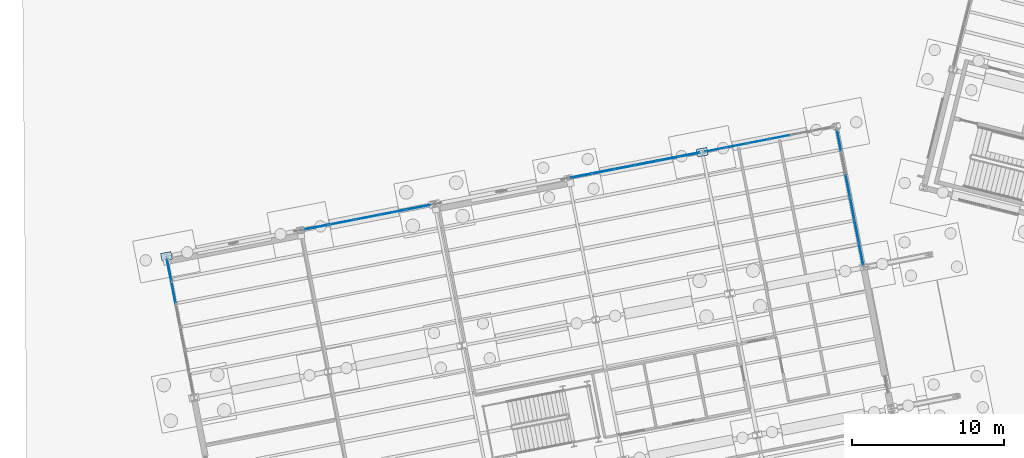
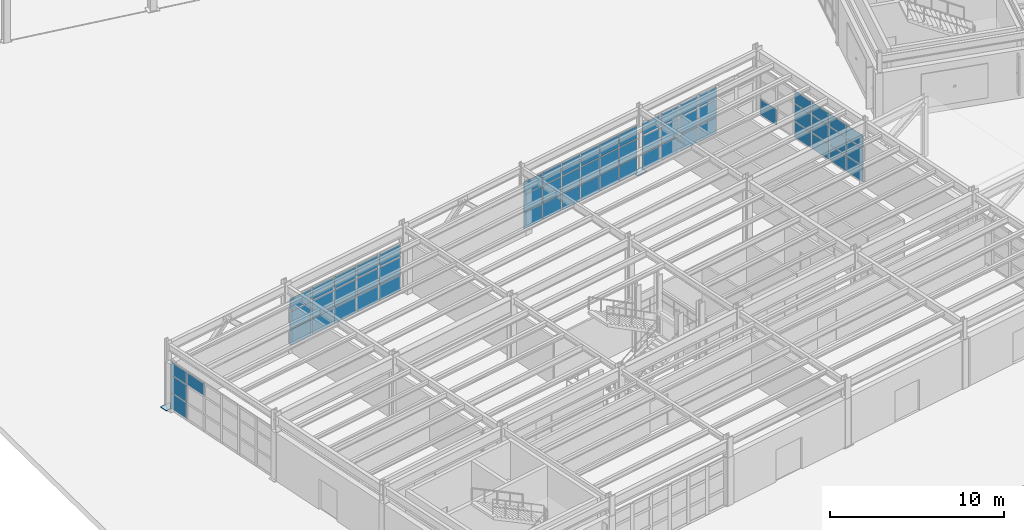
# One storey, part 61 of 108: 64 plates, 5 elements without a shape of their own.
"""IFC4 building model written with IfcOpenShell, lengths in metres."""

from ifc_helpers import new_model, si_unit, direction, frame, origin, origin_2d, place, context, subcontext, project, spatial, rectangle, extrude, material, layer, layer_set, type_object, element, aggregate, save


model = new_model("IFC4")

# Units and contexts
model_context = context("Model", 3, precision=1e-05, world=origin(), true_north=direction((0.0, 1.0)))
body_context = subcontext(model_context, "Body", "Model", "MODEL_VIEW")
ifc_project = project(units=[si_unit("LENGTHUNIT", "METRE"), si_unit("AREAUNIT", "SQUARE_METRE"), si_unit("VOLUMEUNIT", "CUBIC_METRE"), si_unit("PLANEANGLEUNIT", "RADIAN"), si_unit("MASSUNIT", "GRAM", prefix="KILO")], contexts=[model_context])

# Site, building, storey
site_placement = place(None, origin())
site = spatial("IfcSite", under=ifc_project, at=site_placement, CompositionType="ELEMENT")
building_placement = place(site_placement, origin())
building = spatial("IfcBuilding", under=site, at=building_placement, Name="Vireo Bluff Cable Station", CompositionType="ELEMENT")
storey_placement = place(building_placement, origin())
storey = spatial("IfcBuildingStorey", under=building, at=storey_placement, Name="L00", CompositionType="ELEMENT", Elevation=0.0)

# Plates
ifc_material_1 = material(Name="Steel ASTM A572 Gr. 50", Category="steel")
ifc_layer_1 = layer(ifc_material_1, 0.0439453125, Name="Steel ASTM A572 Gr. 50")
ifc_layer_set_1 = layer_set([ifc_layer_1], Name="Steel ASTM A572 Gr. 50")
plate_type_1 = type_object("IfcPlateType", Name="BASEPLATE-700X510X44", PredefinedType="SHEET", material=ifc_layer_set_1)
for number, where, z_axis, x_axis, name in (
    (1, (4.06201171875, 33.476318359375, 0.0), (0.0, 0.0, 1.0), (0.981627183448, 0.190808995377, 0.0), "V5 column baseplate 221"),
    (2, (39.400634765625, 40.345458984375, 0.0), (0.0, 0.0, 1.0), (0.981627183448, 0.190808995377, 0.0), "V5 column baseplate 237"),
):
    element("IfcPlate", number, at=place(storey_placement, frame(where, z_axis=z_axis, x_axis=x_axis)), inside=storey, type_object=plate_type_1, Name=name, PredefinedType="SHEET", context=body_context, shape_type="SweptSolid", body=[
        extrude(rectangle(XDim=0.699951171875, YDim=0.510009765625, at=origin_2d()), origin(), (0.0, 0.0, 1.0), 0.0439453125),
    ])

# Curtain wall, plates
ifc_material_2 = material(Name="Anodized Aluminium 6063-T6", Category="aluminium")
ifc_layer_2 = layer(ifc_material_2, 0.179931640625, Name="Anodized Aluminium 6063-T6")
ifc_layer_set_2 = layer_set([ifc_layer_2], Name="Anodized Aluminium 6063-T6")
curtain_wall_type_1 = type_object("IfcCurtainWallType", Name="CW-UNIT-1500", PredefinedType="USERDEFINED", material=ifc_layer_set_2)
curtain_wall_1_placement = place(storey_placement, origin())
curtain_wall_1 = element("IfcCurtainWall", 3, at=curtain_wall_1_placement, inside=storey, type_object=curtain_wall_type_1, Name="V5 L00 north curtain wall CW-115", ObjectType="UNITISED CURTAIN WALL", PredefinedType="USERDEFINED")
ifc_material_3 = material(Name="Laminated Low-E Insulated Glass", Category="glass")
ifc_layer_3 = layer(ifc_material_3, 0.028076171875, Name="Laminated Low-E Insulated Glass")
ifc_layer_set_3 = layer_set([ifc_layer_3], Name="Laminated Low-E Insulated Glass")
plate_type_2 = type_object("IfcPlateType", Name="CWP-28-1", PredefinedType="CURTAIN_PANEL", material=ifc_layer_set_3)
plate_1_placement = place(storey_placement, frame((40.25732421875, 40.511962890625, 0.080078125), z_axis=(0.0, 0.0, 1.0), x_axis=(0.981627170646, 0.190809061234, 0.0)))
plate_1 = element("IfcPlate", 4, at=plate_1_placement, type_object=plate_type_2, Name="CW-115 panel 1.1", PredefinedType="CURTAIN_PANEL", context=body_context, shape_type="SweptSolid", body=[
    extrude(rectangle(XDim=1.324462890625, YDim=0.028076171875, at=origin_2d()), origin(), (0.0, 0.0, 1.0), 1.070068359375),
])
plate_2_placement = place(storey_placement, frame((40.25732421875, 40.511962890625, 1.22998046875), z_axis=(0.0, 0.0, 1.0), x_axis=(0.981627170646, 0.190809061234, 0.0)))
plate_2 = element("IfcPlate", 5, at=plate_2_placement, type_object=plate_type_2, Name="CW-115 panel 1.2", PredefinedType="CURTAIN_PANEL", context=body_context, shape_type="SweptSolid", body=[
    extrude(rectangle(XDim=1.324462890625, YDim=0.028076171875, at=origin_2d()), origin(), (0.0, 0.0, 1.0), 1.177978515625),
])
plate_3_placement = place(storey_placement, frame((40.25732421875, 40.511962890625, 2.488037109375), z_axis=(0.0, 0.0, 1.0), x_axis=(0.981627170646, 0.190809061234, 0.0)))
plate_3 = element("IfcPlate", 6, at=plate_3_placement, type_object=plate_type_2, Name="CW-115 panel 1.3", PredefinedType="CURTAIN_PANEL", context=body_context, shape_type="SweptSolid", body=[
    extrude(rectangle(XDim=1.324462890625, YDim=0.028076171875, at=origin_2d()), origin(), (0.0, 0.0, 1.0), 0.83203125),
])
plate_4_placement = place(storey_placement, frame((41.655517578125, 40.783935546875, 0.080078125), z_axis=(0.0, 0.0, 1.0), x_axis=(0.981627170646, 0.190809061234, 0.0)))
plate_4 = element("IfcPlate", 7, at=plate_4_placement, type_object=plate_type_2, Name="CW-115 panel 2.1", PredefinedType="CURTAIN_PANEL", context=body_context, shape_type="SweptSolid", body=[
    extrude(rectangle(XDim=1.364501953125, YDim=0.028076171875, at=origin_2d()), origin(), (0.0, 0.0, 1.0), 1.070068359375),
])
plate_5_placement = place(storey_placement, frame((41.655517578125, 40.783935546875, 1.22998046875), z_axis=(0.0, 0.0, 1.0), x_axis=(0.981627170646, 0.190809061234, 0.0)))
plate_5 = element("IfcPlate", 8, at=plate_5_placement, type_object=plate_type_2, Name="CW-115 panel 2.2", PredefinedType="CURTAIN_PANEL", context=body_context, shape_type="SweptSolid", body=[
    extrude(rectangle(XDim=1.364501953125, YDim=0.028076171875, at=origin_2d()), origin(), (0.0, 0.0, 1.0), 1.177978515625),
])
plate_6_placement = place(storey_placement, frame((41.655517578125, 40.783935546875, 2.488037109375), z_axis=(0.0, 0.0, 1.0), x_axis=(0.981627170646, 0.190809061234, 0.0)))
plate_6 = element("IfcPlate", 9, at=plate_6_placement, type_object=plate_type_2, Name="CW-115 panel 2.3", PredefinedType="CURTAIN_PANEL", context=body_context, shape_type="SweptSolid", body=[
    extrude(rectangle(XDim=1.364501953125, YDim=0.028076171875, at=origin_2d()), origin(), (0.0, 0.0, 1.0), 0.83203125),
])
plate_7_placement = place(storey_placement, frame((43.073486328125, 41.0595703125, 0.080078125), z_axis=(0.0, 0.0, 1.0), x_axis=(0.981627170646, 0.190809061234, 0.0)))
plate_7 = element("IfcPlate", 10, at=plate_7_placement, type_object=plate_type_2, Name="CW-115 panel 3.1", PredefinedType="CURTAIN_PANEL", context=body_context, shape_type="SweptSolid", body=[
    extrude(rectangle(XDim=1.364501953125, YDim=0.028076171875, at=origin_2d()), origin(), (0.0, 0.0, 1.0), 1.070068359375),
])
plate_8_placement = place(storey_placement, frame((43.073486328125, 41.0595703125, 1.22998046875), z_axis=(0.0, 0.0, 1.0), x_axis=(0.981627170646, 0.190809061234, 0.0)))
plate_8 = element("IfcPlate", 11, at=plate_8_placement, type_object=plate_type_2, Name="CW-115 panel 3.2", PredefinedType="CURTAIN_PANEL", context=body_context, shape_type="SweptSolid", body=[
    extrude(rectangle(XDim=1.364501953125, YDim=0.028076171875, at=origin_2d()), origin(), (0.0, 0.0, 1.0), 1.177978515625),
])
plate_9_placement = place(storey_placement, frame((43.073486328125, 41.0595703125, 2.488037109375), z_axis=(0.0, 0.0, 1.0), x_axis=(0.981627170646, 0.190809061234, 0.0)))
plate_9 = element("IfcPlate", 12, at=plate_9_placement, type_object=plate_type_2, Name="CW-115 panel 3.3", PredefinedType="CURTAIN_PANEL", context=body_context, shape_type="SweptSolid", body=[
    extrude(rectangle(XDim=1.364501953125, YDim=0.028076171875, at=origin_2d()), origin(), (0.0, 0.0, 1.0), 0.83203125),
])
plate_10_placement = place(storey_placement, frame((44.491455078125, 41.3349609375, 0.080078125), z_axis=(0.0, 0.0, 1.0), x_axis=(0.981627170646, 0.190809061234, 0.0)))
plate_10 = element("IfcPlate", 13, at=plate_10_placement, type_object=plate_type_2, Name="CW-115 panel 4.1", PredefinedType="CURTAIN_PANEL", context=body_context, shape_type="SweptSolid", body=[
    extrude(rectangle(XDim=1.364501953125, YDim=0.028076171875, at=origin_2d()), origin(), (0.0, 0.0, 1.0), 1.070068359375),
])
plate_11_placement = place(storey_placement, frame((44.491455078125, 41.3349609375, 1.22998046875), z_axis=(0.0, 0.0, 1.0), x_axis=(0.981627170646, 0.190809061234, 0.0)))
plate_11 = element("IfcPlate", 14, at=plate_11_placement, type_object=plate_type_2, Name="CW-115 panel 4.2", PredefinedType="CURTAIN_PANEL", context=body_context, shape_type="SweptSolid", body=[
    extrude(rectangle(XDim=1.364501953125, YDim=0.028076171875, at=origin_2d()), origin(), (0.0, 0.0, 1.0), 1.177978515625),
])
plate_12_placement = place(storey_placement, frame((44.491455078125, 41.3349609375, 2.488037109375), z_axis=(0.0, 0.0, 1.0), x_axis=(0.981627170646, 0.190809061234, 0.0)))
plate_12 = element("IfcPlate", 15, at=plate_12_placement, type_object=plate_type_2, Name="CW-115 panel 4.3", PredefinedType="CURTAIN_PANEL", context=body_context, shape_type="SweptSolid", body=[
    extrude(rectangle(XDim=1.364501953125, YDim=0.028076171875, at=origin_2d()), origin(), (0.0, 0.0, 1.0), 0.83203125),
])
aggregate(curtain_wall_1, [plate_1, plate_2, plate_3, plate_4, plate_5, plate_6, plate_7, plate_8, plate_9, plate_10, plate_11, plate_12])

ifc_layer_4 = layer(ifc_material_2, 0.179931640625, Name="Anodized Aluminium 6063-T6")
ifc_layer_set_4 = layer_set([ifc_layer_4], Name="Anodized Aluminium 6063-T6")
curtain_wall_type_2 = type_object("IfcCurtainWallType", Name="CW-UNIT-1650", PredefinedType="USERDEFINED", material=ifc_layer_set_4)
curtain_wall_2_placement = place(storey_placement, origin())
curtain_wall_2 = element("IfcCurtainWall", 16, at=curtain_wall_2_placement, inside=storey, type_object=curtain_wall_type_2, Name="V5 L00 east curtain wall CW-116", ObjectType="UNITISED CURTAIN WALL", PredefinedType="USERDEFINED")
ifc_layer_5 = layer(ifc_material_3, 0.031982421875, Name="Laminated Low-E Insulated Glass")
ifc_layer_set_5 = layer_set([ifc_layer_5], Name="Laminated Low-E Insulated Glass")
plate_type_3 = type_object("IfcPlateType", Name="CWP-32-2", PredefinedType="CURTAIN_PANEL", material=ifc_layer_set_5)
plate_13_placement = place(storey_placement, frame((48.422607421875, 41.09912109375, 0.06494140625), z_axis=(0.0, 0.0, 1.0), x_axis=(0.190809009442, -0.981627180714, 0.0)))
plate_13 = element("IfcPlate", 17, at=plate_13_placement, type_object=plate_type_3, Name="CW-116 panel 1.1", PredefinedType="CURTAIN_PANEL", context=body_context, shape_type="SweptSolid", body=[
    extrude(rectangle(XDim=1.430419921875, YDim=0.031982421875, at=origin_2d()), origin(), (0.0, 0.0, 1.0), 1.092529296875),
])
plate_14_placement = place(storey_placement, frame((49.00244140625, 38.115234375, 0.06494140625), z_axis=(0.0, 0.0, 1.0), x_axis=(0.190809009442, -0.981627180714, 0.0)))
plate_14 = element("IfcPlate", 18, at=plate_14_placement, type_object=plate_type_3, Name="CW-116 panel 3.1", PredefinedType="CURTAIN_PANEL", context=body_context, shape_type="SweptSolid", body=[
    extrude(rectangle(XDim=1.462890625, YDim=0.031982421875, at=origin_2d()), origin(), (0.0, 0.0, 1.0), 1.092529296875),
])
plate_15_placement = place(storey_placement, frame((49.00244140625, 38.115234375, 1.22265625), z_axis=(0.0, 0.0, 1.0), x_axis=(0.190809009442, -0.981627180714, 0.0)))
plate_15 = element("IfcPlate", 19, at=plate_15_placement, type_object=plate_type_3, Name="CW-116 panel 3.2", PredefinedType="CURTAIN_PANEL", context=body_context, shape_type="SweptSolid", body=[
    extrude(rectangle(XDim=1.462890625, YDim=0.031982421875, at=origin_2d()), origin(), (0.0, 0.0, 1.0), 1.193115234375),
])
plate_16_placement = place(storey_placement, frame((49.00244140625, 38.115234375, 2.48046875), z_axis=(0.0, 0.0, 1.0), x_axis=(0.190809009442, -0.981627180714, 0.0)))
plate_16 = element("IfcPlate", 20, at=plate_16_placement, type_object=plate_type_3, Name="CW-116 panel 3.3", PredefinedType="CURTAIN_PANEL", context=body_context, shape_type="SweptSolid", body=[
    extrude(rectangle(XDim=1.462890625, YDim=0.031982421875, at=origin_2d()), origin(), (0.0, 0.0, 1.0), 0.8544921875),
])
plate_17_placement = place(storey_placement, frame((49.2939453125, 36.615234375, 0.06494140625), z_axis=(0.0, 0.0, 1.0), x_axis=(0.190809009442, -0.981627180714, 0.0)))
plate_17 = element("IfcPlate", 21, at=plate_17_placement, type_object=plate_type_3, Name="CW-116 panel 4.1", PredefinedType="CURTAIN_PANEL", context=body_context, shape_type="SweptSolid", body=[
    extrude(rectangle(XDim=1.462890625, YDim=0.031982421875, at=origin_2d()), origin(), (0.0, 0.0, 1.0), 1.092529296875),
])
plate_18_placement = place(storey_placement, frame((49.2939453125, 36.615234375, 1.22265625), z_axis=(0.0, 0.0, 1.0), x_axis=(0.190809009442, -0.981627180714, 0.0)))
plate_18 = element("IfcPlate", 22, at=plate_18_placement, type_object=plate_type_3, Name="CW-116 panel 4.2", PredefinedType="CURTAIN_PANEL", context=body_context, shape_type="SweptSolid", body=[
    extrude(rectangle(XDim=1.462890625, YDim=0.031982421875, at=origin_2d()), origin(), (0.0, 0.0, 1.0), 1.193115234375),
])
plate_19_placement = place(storey_placement, frame((49.2939453125, 36.615234375, 2.48046875), z_axis=(0.0, 0.0, 1.0), x_axis=(0.190809009442, -0.981627180714, 0.0)))
plate_19 = element("IfcPlate", 23, at=plate_19_placement, type_object=plate_type_3, Name="CW-116 panel 4.3", PredefinedType="CURTAIN_PANEL", context=body_context, shape_type="SweptSolid", body=[
    extrude(rectangle(XDim=1.462890625, YDim=0.031982421875, at=origin_2d()), origin(), (0.0, 0.0, 1.0), 0.8544921875),
])
plate_20_placement = place(storey_placement, frame((49.585693359375, 35.115234375, 0.06494140625), z_axis=(0.0, 0.0, 1.0), x_axis=(0.190809009442, -0.981627180714, 0.0)))
plate_20 = element("IfcPlate", 24, at=plate_20_placement, type_object=plate_type_3, Name="CW-116 panel 5.1", PredefinedType="CURTAIN_PANEL", context=body_context, shape_type="SweptSolid", body=[
    extrude(rectangle(XDim=1.462890625, YDim=0.031982421875, at=origin_2d()), origin(), (0.0, 0.0, 1.0), 1.092529296875),
])
plate_21_placement = place(storey_placement, frame((49.585693359375, 35.115234375, 1.22265625), z_axis=(0.0, 0.0, 1.0), x_axis=(0.190809009442, -0.981627180714, 0.0)))
plate_21 = element("IfcPlate", 25, at=plate_21_placement, type_object=plate_type_3, Name="CW-116 panel 5.2", PredefinedType="CURTAIN_PANEL", context=body_context, shape_type="SweptSolid", body=[
    extrude(rectangle(XDim=1.462890625, YDim=0.031982421875, at=origin_2d()), origin(), (0.0, 0.0, 1.0), 1.193115234375),
])
plate_22_placement = place(storey_placement, frame((49.585693359375, 35.115234375, 2.48046875), z_axis=(0.0, 0.0, 1.0), x_axis=(0.190809009442, -0.981627180714, 0.0)))
plate_22 = element("IfcPlate", 26, at=plate_22_placement, type_object=plate_type_3, Name="CW-116 panel 5.3", PredefinedType="CURTAIN_PANEL", context=body_context, shape_type="SweptSolid", body=[
    extrude(rectangle(XDim=1.462890625, YDim=0.031982421875, at=origin_2d()), origin(), (0.0, 0.0, 1.0), 0.8544921875),
])
plate_23_placement = place(storey_placement, frame((49.8740234375, 33.63134765625, 0.06494140625), z_axis=(0.0, 0.0, 1.0), x_axis=(0.190809009442, -0.981627180714, 0.0)))
plate_23 = element("IfcPlate", 27, at=plate_23_placement, type_object=plate_type_3, Name="CW-116 panel 6.1", PredefinedType="CURTAIN_PANEL", context=body_context, shape_type="SweptSolid", body=[
    extrude(rectangle(XDim=1.430419921875, YDim=0.031982421875, at=origin_2d()), origin(), (0.0, 0.0, 1.0), 1.092529296875),
])
plate_24_placement = place(storey_placement, frame((49.8740234375, 33.63134765625, 1.22265625), z_axis=(0.0, 0.0, 1.0), x_axis=(0.190809009442, -0.981627180714, 0.0)))
plate_24 = element("IfcPlate", 28, at=plate_24_placement, type_object=plate_type_3, Name="CW-116 panel 6.2", PredefinedType="CURTAIN_PANEL", context=body_context, shape_type="SweptSolid", body=[
    extrude(rectangle(XDim=1.430419921875, YDim=0.031982421875, at=origin_2d()), origin(), (0.0, 0.0, 1.0), 1.193115234375),
])
plate_25_placement = place(storey_placement, frame((49.8740234375, 33.63134765625, 2.48046875), z_axis=(0.0, 0.0, 1.0), x_axis=(0.190809009442, -0.981627180714, 0.0)))
plate_25 = element("IfcPlate", 29, at=plate_25_placement, type_object=plate_type_3, Name="CW-116 panel 6.3", PredefinedType="CURTAIN_PANEL", context=body_context, shape_type="SweptSolid", body=[
    extrude(rectangle(XDim=1.430419921875, YDim=0.031982421875, at=origin_2d()), origin(), (0.0, 0.0, 1.0), 0.8544921875),
])
aggregate(curtain_wall_2, [plate_13, plate_14, plate_15, plate_16, plate_17, plate_18, plate_19, plate_20, plate_21, plate_22, plate_23, plate_24, plate_25])

curtain_wall_3_placement = place(storey_placement, origin())
curtain_wall_3 = element("IfcCurtainWall", 30, at=curtain_wall_3_placement, inside=storey, type_object=curtain_wall_type_1, Name="V5 L00 west curtain wall CW-112", ObjectType="UNITISED CURTAIN WALL", PredefinedType="USERDEFINED")
ifc_layer_6 = layer(ifc_material_3, 0.035888671875, Name="Laminated Low-E Insulated Glass")
ifc_layer_set_6 = layer_set([ifc_layer_6], Name="Laminated Low-E Insulated Glass")
plate_type_4 = type_object("IfcPlateType", Name="CWP-36-3", PredefinedType="CURTAIN_PANEL", material=ifc_layer_set_6)
plate_26_placement = place(storey_placement, frame((4.52734375, 31.08251953125, 2.48046875), z_axis=(0.0, 0.0, 1.0), x_axis=(-0.190809009717, 0.98162718066, 0.0)))
plate_26 = element("IfcPlate", 31, at=plate_26_placement, type_object=plate_type_4, Name="CW-112 panel 5.3", PredefinedType="CURTAIN_PANEL", context=body_context, shape_type="SweptSolid", body=[
    extrude(rectangle(XDim=1.45751953125, YDim=0.035888671875, at=origin_2d()), origin(), (0.0, 0.0, 1.0), 0.8544921875),
])
plate_27_placement = place(storey_placement, frame((4.23974609375, 32.56103515625, 0.06494140625), z_axis=(0.0, 0.0, 1.0), x_axis=(-0.190809009717, 0.98162718066, 0.0)))
plate_27 = element("IfcPlate", 32, at=plate_27_placement, type_object=plate_type_4, Name="CW-112 panel 6.1", PredefinedType="CURTAIN_PANEL", context=body_context, shape_type="SweptSolid", body=[
    extrude(rectangle(XDim=1.4248046875, YDim=0.035888671875, at=origin_2d()), origin(), (0.0, 0.0, 1.0), 1.092529296875),
])
plate_28_placement = place(storey_placement, frame((4.23974609375, 32.56103515625, 1.22265625), z_axis=(0.0, 0.0, 1.0), x_axis=(-0.190809009717, 0.98162718066, 0.0)))
plate_28 = element("IfcPlate", 33, at=plate_28_placement, type_object=plate_type_4, Name="CW-112 panel 6.2", PredefinedType="CURTAIN_PANEL", context=body_context, shape_type="SweptSolid", body=[
    extrude(rectangle(XDim=1.4248046875, YDim=0.035888671875, at=origin_2d()), origin(), (0.0, 0.0, 1.0), 1.193115234375),
])
plate_29_placement = place(storey_placement, frame((4.23974609375, 32.56103515625, 2.48046875), z_axis=(0.0, 0.0, 1.0), x_axis=(-0.190809009717, 0.98162718066, 0.0)))
plate_29 = element("IfcPlate", 34, at=plate_29_placement, type_object=plate_type_4, Name="CW-112 panel 6.3", PredefinedType="CURTAIN_PANEL", context=body_context, shape_type="SweptSolid", body=[
    extrude(rectangle(XDim=1.4248046875, YDim=0.035888671875, at=origin_2d()), origin(), (0.0, 0.0, 1.0), 0.8544921875),
])
aggregate(curtain_wall_3, [plate_26, plate_27, plate_28, plate_29])

curtain_wall_4_placement = place(storey_placement, origin())
curtain_wall_4 = element("IfcCurtainWall", 35, at=curtain_wall_4_placement, inside=storey, type_object=curtain_wall_type_2, Name="V5 L00 north curtain wall CW-113", ObjectType="UNITISED CURTAIN WALL", PredefinedType="USERDEFINED")
ifc_material_4 = material(Name="Insulated Spandrel Glass Panel", Category="glass")
ifc_layer_7 = layer(ifc_material_4, 0.0419921875, Name="Insulated Spandrel Glass Panel")
ifc_layer_set_7 = layer_set([ifc_layer_7], Name="Insulated Spandrel Glass Panel")
plate_type_5 = type_object("IfcPlateType", Name="CWP-42-4", PredefinedType="CURTAIN_PANEL", material=ifc_layer_set_7)
plate_30_placement = place(storey_placement, frame((13.959716796875, 35.400390625, 0.0751953125), z_axis=(0.0, 0.0, 1.0), x_axis=(0.981627187397, 0.190808975057, 0.0)))
plate_30 = element("IfcPlate", 36, at=plate_30_placement, type_object=plate_type_5, Name="CW-113 panel 1.1", PredefinedType="CURTAIN_PANEL", context=body_context, shape_type="SweptSolid", body=[
    extrude(rectangle(XDim=1.60595703125, YDim=0.0419921875, at=origin_2d()), origin(), (0.0, 0.0, 1.0), 1.077392578125),
])
plate_31_placement = place(storey_placement, frame((13.959716796875, 35.400390625, 1.2275390625), z_axis=(0.0, 0.0, 1.0), x_axis=(0.981627187397, 0.190808975057, 0.0)))
plate_31 = element("IfcPlate", 37, at=plate_31_placement, type_object=plate_type_5, Name="CW-113 panel 1.2", PredefinedType="CURTAIN_PANEL", context=body_context, shape_type="SweptSolid", body=[
    extrude(rectangle(XDim=1.60595703125, YDim=0.0419921875, at=origin_2d()), origin(), (0.0, 0.0, 1.0), 1.18310546875),
])
plate_32_placement = place(storey_placement, frame((13.959716796875, 35.400390625, 2.4853515625), z_axis=(0.0, 0.0, 1.0), x_axis=(0.981627187397, 0.190808975057, 0.0)))
plate_32 = element("IfcPlate", 38, at=plate_32_placement, type_object=plate_type_5, Name="CW-113 panel 1.3", PredefinedType="CURTAIN_PANEL", context=body_context, shape_type="SweptSolid", body=[
    extrude(rectangle(XDim=1.60595703125, YDim=0.0419921875, at=origin_2d()), origin(), (0.0, 0.0, 1.0), 0.839599609375),
])
plate_33_placement = place(storey_placement, frame((15.628173828125, 35.724609375, 0.0751953125), z_axis=(0.0, 0.0, 1.0), x_axis=(0.981627187397, 0.190808975057, 0.0)))
plate_33 = element("IfcPlate", 39, at=plate_33_placement, type_object=plate_type_5, Name="CW-113 panel 2.1", PredefinedType="CURTAIN_PANEL", context=body_context, shape_type="SweptSolid", body=[
    extrude(rectangle(XDim=1.6435546875, YDim=0.0419921875, at=origin_2d()), origin(), (0.0, 0.0, 1.0), 1.077392578125),
])
plate_34_placement = place(storey_placement, frame((15.628173828125, 35.724609375, 1.2275390625), z_axis=(0.0, 0.0, 1.0), x_axis=(0.981627187397, 0.190808975057, 0.0)))
plate_34 = element("IfcPlate", 40, at=plate_34_placement, type_object=plate_type_5, Name="CW-113 panel 2.2", PredefinedType="CURTAIN_PANEL", context=body_context, shape_type="SweptSolid", body=[
    extrude(rectangle(XDim=1.6435546875, YDim=0.0419921875, at=origin_2d()), origin(), (0.0, 0.0, 1.0), 1.18310546875),
])
plate_35_placement = place(storey_placement, frame((15.628173828125, 35.724609375, 2.4853515625), z_axis=(0.0, 0.0, 1.0), x_axis=(0.981627187397, 0.190808975057, 0.0)))
plate_35 = element("IfcPlate", 41, at=plate_35_placement, type_object=plate_type_5, Name="CW-113 panel 2.3", PredefinedType="CURTAIN_PANEL", context=body_context, shape_type="SweptSolid", body=[
    extrude(rectangle(XDim=1.6435546875, YDim=0.0419921875, at=origin_2d()), origin(), (0.0, 0.0, 1.0), 0.839599609375),
])
plate_36_placement = place(storey_placement, frame((17.315185546875, 36.052490234375, 0.0751953125), z_axis=(0.0, 0.0, 1.0), x_axis=(0.981627187397, 0.190808975057, 0.0)))
plate_36 = element("IfcPlate", 42, at=plate_36_placement, type_object=plate_type_5, Name="CW-113 panel 3.1", PredefinedType="CURTAIN_PANEL", context=body_context, shape_type="SweptSolid", body=[
    extrude(rectangle(XDim=1.6435546875, YDim=0.0419921875, at=origin_2d()), origin(), (0.0, 0.0, 1.0), 1.077392578125),
])
plate_37_placement = place(storey_placement, frame((17.315185546875, 36.052490234375, 1.2275390625), z_axis=(0.0, 0.0, 1.0), x_axis=(0.981627187397, 0.190808975057, 0.0)))
plate_37 = element("IfcPlate", 43, at=plate_37_placement, type_object=plate_type_5, Name="CW-113 panel 3.2", PredefinedType="CURTAIN_PANEL", context=body_context, shape_type="SweptSolid", body=[
    extrude(rectangle(XDim=1.6435546875, YDim=0.0419921875, at=origin_2d()), origin(), (0.0, 0.0, 1.0), 1.18310546875),
])
plate_38_placement = place(storey_placement, frame((17.315185546875, 36.052490234375, 2.4853515625), z_axis=(0.0, 0.0, 1.0), x_axis=(0.981627187397, 0.190808975057, 0.0)))
plate_38 = element("IfcPlate", 44, at=plate_38_placement, type_object=plate_type_5, Name="CW-113 panel 3.3", PredefinedType="CURTAIN_PANEL", context=body_context, shape_type="SweptSolid", body=[
    extrude(rectangle(XDim=1.6435546875, YDim=0.0419921875, at=origin_2d()), origin(), (0.0, 0.0, 1.0), 0.839599609375),
])
plate_39_placement = place(storey_placement, frame((19.001953125, 36.38037109375, 0.0751953125), z_axis=(0.0, 0.0, 1.0), x_axis=(0.981627187397, 0.190808975057, 0.0)))
plate_39 = element("IfcPlate", 45, at=plate_39_placement, type_object=plate_type_5, Name="CW-113 panel 4.1", PredefinedType="CURTAIN_PANEL", context=body_context, shape_type="SweptSolid", body=[
    extrude(rectangle(XDim=1.6435546875, YDim=0.0419921875, at=origin_2d()), origin(), (0.0, 0.0, 1.0), 1.077392578125),
])
plate_40_placement = place(storey_placement, frame((19.001953125, 36.38037109375, 1.2275390625), z_axis=(0.0, 0.0, 1.0), x_axis=(0.981627187397, 0.190808975057, 0.0)))
plate_40 = element("IfcPlate", 46, at=plate_40_placement, type_object=plate_type_5, Name="CW-113 panel 4.2", PredefinedType="CURTAIN_PANEL", context=body_context, shape_type="SweptSolid", body=[
    extrude(rectangle(XDim=1.6435546875, YDim=0.0419921875, at=origin_2d()), origin(), (0.0, 0.0, 1.0), 1.18310546875),
])
plate_41_placement = place(storey_placement, frame((19.001953125, 36.38037109375, 2.4853515625), z_axis=(0.0, 0.0, 1.0), x_axis=(0.981627187397, 0.190808975057, 0.0)))
plate_41 = element("IfcPlate", 47, at=plate_41_placement, type_object=plate_type_5, Name="CW-113 panel 4.3", PredefinedType="CURTAIN_PANEL", context=body_context, shape_type="SweptSolid", body=[
    extrude(rectangle(XDim=1.6435546875, YDim=0.0419921875, at=origin_2d()), origin(), (0.0, 0.0, 1.0), 0.839599609375),
])
plate_42_placement = place(storey_placement, frame((20.670654296875, 36.704833984375, 0.0751953125), z_axis=(0.0, 0.0, 1.0), x_axis=(0.981627187397, 0.190808975057, 0.0)))
plate_42 = element("IfcPlate", 48, at=plate_42_placement, type_object=plate_type_5, Name="CW-113 panel 5.1", PredefinedType="CURTAIN_PANEL", context=body_context, shape_type="SweptSolid", body=[
    extrude(rectangle(XDim=1.60595703125, YDim=0.0419921875, at=origin_2d()), origin(), (0.0, 0.0, 1.0), 1.077392578125),
])
plate_43_placement = place(storey_placement, frame((20.670654296875, 36.704833984375, 1.2275390625), z_axis=(0.0, 0.0, 1.0), x_axis=(0.981627187397, 0.190808975057, 0.0)))
plate_43 = element("IfcPlate", 49, at=plate_43_placement, type_object=plate_type_5, Name="CW-113 panel 5.2", PredefinedType="CURTAIN_PANEL", context=body_context, shape_type="SweptSolid", body=[
    extrude(rectangle(XDim=1.60595703125, YDim=0.0419921875, at=origin_2d()), origin(), (0.0, 0.0, 1.0), 1.18310546875),
])
plate_44_placement = place(storey_placement, frame((20.670654296875, 36.704833984375, 2.4853515625), z_axis=(0.0, 0.0, 1.0), x_axis=(0.981627187397, 0.190808975057, 0.0)))
plate_44 = element("IfcPlate", 50, at=plate_44_placement, type_object=plate_type_5, Name="CW-113 panel 5.3", PredefinedType="CURTAIN_PANEL", context=body_context, shape_type="SweptSolid", body=[
    extrude(rectangle(XDim=1.60595703125, YDim=0.0419921875, at=origin_2d()), origin(), (0.0, 0.0, 1.0), 0.839599609375),
])
aggregate(curtain_wall_4, [plate_30, plate_31, plate_32, plate_33, plate_34, plate_35, plate_36, plate_37, plate_38, plate_39, plate_40, plate_41, plate_42, plate_43, plate_44])

ifc_layer_8 = layer(ifc_material_2, 0.179931640625, Name="Anodized Aluminium 6063-T6")
ifc_layer_set_8 = layer_set([ifc_layer_8], Name="Anodized Aluminium 6063-T6")
curtain_wall_type_3 = type_object("IfcCurtainWallType", Name="CW-UNIT-1400", PredefinedType="USERDEFINED", material=ifc_layer_set_8)
curtain_wall_5_placement = place(storey_placement, origin())
curtain_wall_5 = element("IfcCurtainWall", 51, at=curtain_wall_5_placement, inside=storey, type_object=curtain_wall_type_3, Name="V5 L00 north curtain wall CW-114", ObjectType="UNITISED CURTAIN WALL", PredefinedType="USERDEFINED")
ifc_layer_9 = layer(ifc_material_4, 0.048095703125, Name="Insulated Spandrel Glass Panel")
ifc_layer_set_9 = layer_set([ifc_layer_9], Name="Insulated Spandrel Glass Panel")
plate_type_6 = type_object("IfcPlateType", Name="CWP-48-5", PredefinedType="CURTAIN_PANEL", material=ifc_layer_set_9)
plate_45_placement = place(storey_placement, frame((31.399658203125, 38.790283203125, 0.06005859375), z_axis=(0.0, 0.0, 1.0), x_axis=(0.98162718845, 0.190808969643, 0.0)))
plate_45 = element("IfcPlate", 52, at=plate_45_placement, type_object=plate_type_6, Name="CW-114 panel 1.1", PredefinedType="CURTAIN_PANEL", context=body_context, shape_type="SweptSolid", body=[
    extrude(rectangle(XDim=1.370849609375, YDim=0.048095703125, at=origin_2d()), origin(), (0.0, 0.0, 1.0), 1.10009765625),
])
plate_46_placement = place(storey_placement, frame((31.399658203125, 38.790283203125, 1.22021484375), z_axis=(0.0, 0.0, 1.0), x_axis=(0.98162718845, 0.190808969643, 0.0)))
plate_46 = element("IfcPlate", 53, at=plate_46_placement, type_object=plate_type_6, Name="CW-114 panel 1.2", PredefinedType="CURTAIN_PANEL", context=body_context, shape_type="SweptSolid", body=[
    extrude(rectangle(XDim=1.370849609375, YDim=0.048095703125, at=origin_2d()), origin(), (0.0, 0.0, 1.0), 1.197998046875),
])
plate_47_placement = place(storey_placement, frame((31.399658203125, 38.790283203125, 2.47802734375), z_axis=(0.0, 0.0, 1.0), x_axis=(0.98162718845, 0.190808969643, 0.0)))
plate_47 = element("IfcPlate", 54, at=plate_47_placement, type_object=plate_type_6, Name="CW-114 panel 1.3", PredefinedType="CURTAIN_PANEL", context=body_context, shape_type="SweptSolid", body=[
    extrude(rectangle(XDim=1.370849609375, YDim=0.048095703125, at=origin_2d()), origin(), (0.0, 0.0, 1.0), 0.862060546875),
])
plate_48_placement = place(storey_placement, frame((32.819091796875, 39.066162109375, 0.06005859375), z_axis=(0.0, 0.0, 1.0), x_axis=(0.98162718845, 0.190808969643, 0.0)))
plate_48 = element("IfcPlate", 55, at=plate_48_placement, type_object=plate_type_6, Name="CW-114 panel 2.1", PredefinedType="CURTAIN_PANEL", context=body_context, shape_type="SweptSolid", body=[
    extrude(rectangle(XDim=1.40087890625, YDim=0.048095703125, at=origin_2d()), origin(), (0.0, 0.0, 1.0), 1.10009765625),
])
plate_49_placement = place(storey_placement, frame((32.819091796875, 39.066162109375, 1.22021484375), z_axis=(0.0, 0.0, 1.0), x_axis=(0.98162718845, 0.190808969643, 0.0)))
plate_49 = element("IfcPlate", 56, at=plate_49_placement, type_object=plate_type_6, Name="CW-114 panel 2.2", PredefinedType="CURTAIN_PANEL", context=body_context, shape_type="SweptSolid", body=[
    extrude(rectangle(XDim=1.40087890625, YDim=0.048095703125, at=origin_2d()), origin(), (0.0, 0.0, 1.0), 1.197998046875),
])
plate_50_placement = place(storey_placement, frame((32.819091796875, 39.066162109375, 2.47802734375), z_axis=(0.0, 0.0, 1.0), x_axis=(0.98162718845, 0.190808969643, 0.0)))
plate_50 = element("IfcPlate", 57, at=plate_50_placement, type_object=plate_type_6, Name="CW-114 panel 2.3", PredefinedType="CURTAIN_PANEL", context=body_context, shape_type="SweptSolid", body=[
    extrude(rectangle(XDim=1.40087890625, YDim=0.048095703125, at=origin_2d()), origin(), (0.0, 0.0, 1.0), 0.862060546875),
])
plate_51_placement = place(storey_placement, frame((34.253173828125, 39.344970703125, 0.06005859375), z_axis=(0.0, 0.0, 1.0), x_axis=(0.98162718845, 0.190808969643, 0.0)))
plate_51 = element("IfcPlate", 58, at=plate_51_placement, type_object=plate_type_6, Name="CW-114 panel 3.1", PredefinedType="CURTAIN_PANEL", context=body_context, shape_type="SweptSolid", body=[
    extrude(rectangle(XDim=1.40087890625, YDim=0.048095703125, at=origin_2d()), origin(), (0.0, 0.0, 1.0), 1.10009765625),
])
plate_52_placement = place(storey_placement, frame((34.253173828125, 39.344970703125, 1.22021484375), z_axis=(0.0, 0.0, 1.0), x_axis=(0.98162718845, 0.190808969643, 0.0)))
plate_52 = element("IfcPlate", 59, at=plate_52_placement, type_object=plate_type_6, Name="CW-114 panel 3.2", PredefinedType="CURTAIN_PANEL", context=body_context, shape_type="SweptSolid", body=[
    extrude(rectangle(XDim=1.40087890625, YDim=0.048095703125, at=origin_2d()), origin(), (0.0, 0.0, 1.0), 1.197998046875),
])
plate_53_placement = place(storey_placement, frame((34.253173828125, 39.344970703125, 2.47802734375), z_axis=(0.0, 0.0, 1.0), x_axis=(0.98162718845, 0.190808969643, 0.0)))
plate_53 = element("IfcPlate", 60, at=plate_53_placement, type_object=plate_type_6, Name="CW-114 panel 3.3", PredefinedType="CURTAIN_PANEL", context=body_context, shape_type="SweptSolid", body=[
    extrude(rectangle(XDim=1.40087890625, YDim=0.048095703125, at=origin_2d()), origin(), (0.0, 0.0, 1.0), 0.862060546875),
])
plate_54_placement = place(storey_placement, frame((35.687255859375, 39.623779296875, 0.06005859375), z_axis=(0.0, 0.0, 1.0), x_axis=(0.98162718845, 0.190808969643, 0.0)))
plate_54 = element("IfcPlate", 61, at=plate_54_placement, type_object=plate_type_6, Name="CW-114 panel 4.1", PredefinedType="CURTAIN_PANEL", context=body_context, shape_type="SweptSolid", body=[
    extrude(rectangle(XDim=1.40087890625, YDim=0.048095703125, at=origin_2d()), origin(), (0.0, 0.0, 1.0), 1.10009765625),
])
plate_55_placement = place(storey_placement, frame((35.687255859375, 39.623779296875, 1.22021484375), z_axis=(0.0, 0.0, 1.0), x_axis=(0.98162718845, 0.190808969643, 0.0)))
plate_55 = element("IfcPlate", 62, at=plate_55_placement, type_object=plate_type_6, Name="CW-114 panel 4.2", PredefinedType="CURTAIN_PANEL", context=body_context, shape_type="SweptSolid", body=[
    extrude(rectangle(XDim=1.40087890625, YDim=0.048095703125, at=origin_2d()), origin(), (0.0, 0.0, 1.0), 1.197998046875),
])
plate_56_placement = place(storey_placement, frame((35.687255859375, 39.623779296875, 2.47802734375), z_axis=(0.0, 0.0, 1.0), x_axis=(0.98162718845, 0.190808969643, 0.0)))
plate_56 = element("IfcPlate", 63, at=plate_56_placement, type_object=plate_type_6, Name="CW-114 panel 4.3", PredefinedType="CURTAIN_PANEL", context=body_context, shape_type="SweptSolid", body=[
    extrude(rectangle(XDim=1.40087890625, YDim=0.048095703125, at=origin_2d()), origin(), (0.0, 0.0, 1.0), 0.862060546875),
])
plate_57_placement = place(storey_placement, frame((37.121337890625, 39.90234375, 0.06005859375), z_axis=(0.0, 0.0, 1.0), x_axis=(0.98162718845, 0.190808969643, 0.0)))
plate_57 = element("IfcPlate", 64, at=plate_57_placement, type_object=plate_type_6, Name="CW-114 panel 5.1", PredefinedType="CURTAIN_PANEL", context=body_context, shape_type="SweptSolid", body=[
    extrude(rectangle(XDim=1.40087890625, YDim=0.048095703125, at=origin_2d()), origin(), (0.0, 0.0, 1.0), 1.10009765625),
])
plate_58_placement = place(storey_placement, frame((37.121337890625, 39.90234375, 1.22021484375), z_axis=(0.0, 0.0, 1.0), x_axis=(0.98162718845, 0.190808969643, 0.0)))
plate_58 = element("IfcPlate", 65, at=plate_58_placement, type_object=plate_type_6, Name="CW-114 panel 5.2", PredefinedType="CURTAIN_PANEL", context=body_context, shape_type="SweptSolid", body=[
    extrude(rectangle(XDim=1.40087890625, YDim=0.048095703125, at=origin_2d()), origin(), (0.0, 0.0, 1.0), 1.197998046875),
])
plate_59_placement = place(storey_placement, frame((37.121337890625, 39.90234375, 2.47802734375), z_axis=(0.0, 0.0, 1.0), x_axis=(0.98162718845, 0.190808969643, 0.0)))
plate_59 = element("IfcPlate", 66, at=plate_59_placement, type_object=plate_type_6, Name="CW-114 panel 5.3", PredefinedType="CURTAIN_PANEL", context=body_context, shape_type="SweptSolid", body=[
    extrude(rectangle(XDim=1.40087890625, YDim=0.048095703125, at=origin_2d()), origin(), (0.0, 0.0, 1.0), 0.862060546875),
])
plate_60_placement = place(storey_placement, frame((38.540771484375, 40.178466796875, 0.06005859375), z_axis=(0.0, 0.0, 1.0), x_axis=(0.98162718845, 0.190808969643, 0.0)))
plate_60 = element("IfcPlate", 67, at=plate_60_placement, type_object=plate_type_6, Name="CW-114 panel 6.1", PredefinedType="CURTAIN_PANEL", context=body_context, shape_type="SweptSolid", body=[
    extrude(rectangle(XDim=1.370849609375, YDim=0.048095703125, at=origin_2d()), origin(), (0.0, 0.0, 1.0), 1.10009765625),
])
plate_61_placement = place(storey_placement, frame((38.540771484375, 40.178466796875, 1.22021484375), z_axis=(0.0, 0.0, 1.0), x_axis=(0.98162718845, 0.190808969643, 0.0)))
plate_61 = element("IfcPlate", 68, at=plate_61_placement, type_object=plate_type_6, Name="CW-114 panel 6.2", PredefinedType="CURTAIN_PANEL", context=body_context, shape_type="SweptSolid", body=[
    extrude(rectangle(XDim=1.370849609375, YDim=0.048095703125, at=origin_2d()), origin(), (0.0, 0.0, 1.0), 1.197998046875),
])
plate_62_placement = place(storey_placement, frame((38.540771484375, 40.178466796875, 2.47802734375), z_axis=(0.0, 0.0, 1.0), x_axis=(0.98162718845, 0.190808969643, 0.0)))
plate_62 = element("IfcPlate", 69, at=plate_62_placement, type_object=plate_type_6, Name="CW-114 panel 6.3", PredefinedType="CURTAIN_PANEL", context=body_context, shape_type="SweptSolid", body=[
    extrude(rectangle(XDim=1.370849609375, YDim=0.048095703125, at=origin_2d()), origin(), (0.0, 0.0, 1.0), 0.862060546875),
])
aggregate(curtain_wall_5, [plate_45, plate_46, plate_47, plate_48, plate_49, plate_50, plate_51, plate_52, plate_53, plate_54, plate_55, plate_56, plate_57, plate_58, plate_59, plate_60, plate_61, plate_62])

save(model, "model.ifc")
